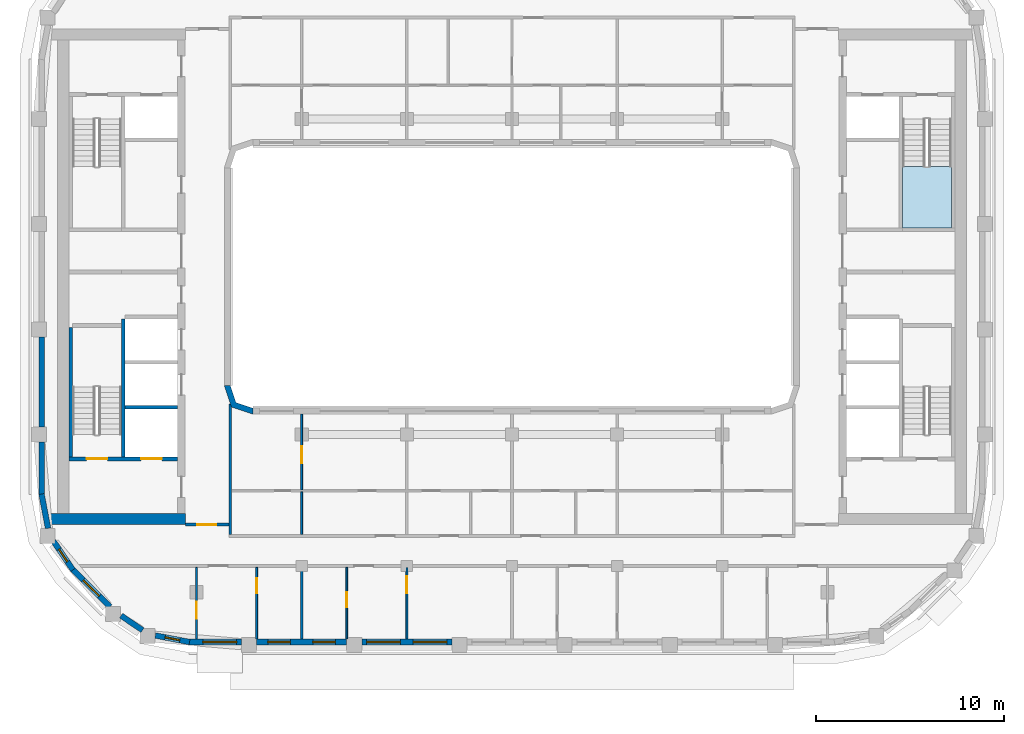
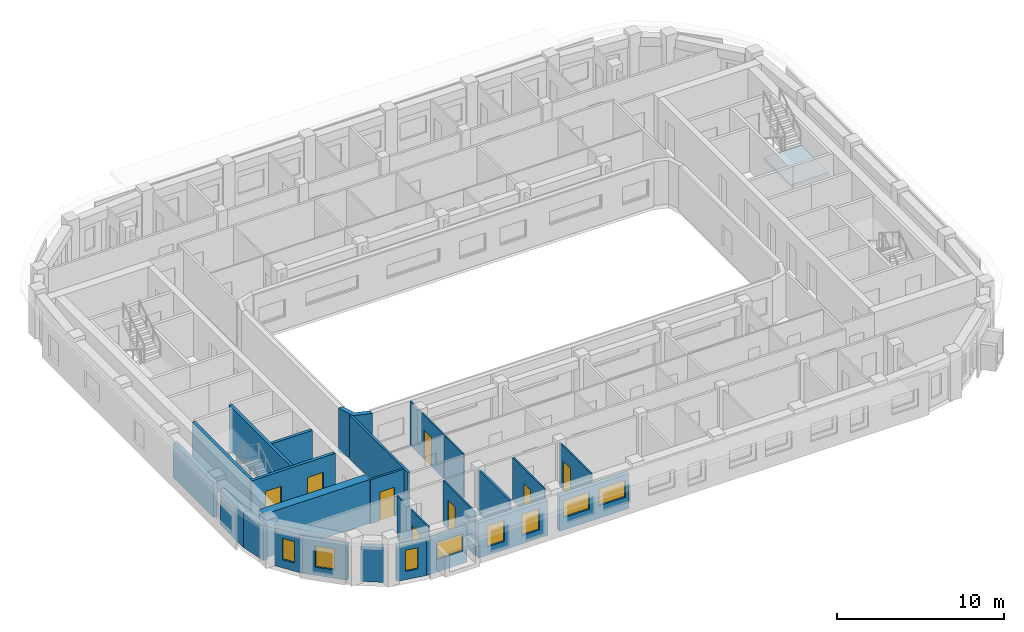
# One storey, part 2 of 16: 25 walls, 8 doors, 8 windows, 1 slab, 16 openings, 1 element without a shape of its own.
"""IFC4 building model written with IfcOpenShell, lengths in metres."""

import ifcopenshell
import ifcopenshell.guid

model = None  # the IFC model being written
_history = None  # IfcOwnerHistory: only IFC2X3 demands one
_inside = {}  # id of a spatial element -> (the spatial element, [elements in it])
_under = {}  # id of a project, library or spatial element -> (it, [spatial elements below it])
_declared = {}  # id of a project -> (the project, [libraries it declares])
_typed = {}  # id of a type object -> (the type object, [elements of that type])
_made_of = {}  # id of a material, layer set ... -> (it, [elements and type objects made of it])


def new_model(schema):
    """Start an empty IFC model of exactly this schema.

    Asked for "IFC4X3", IfcOpenShell would pick the latest addendum, in which some entities
    have other attributes; the version numbers below select the first issue.
    IFC2X3 requires an IfcOwnerHistory on every rooted entity: one is made here for all.
    """
    global model, _history
    if schema == "IFC4X3":
        model = ifcopenshell.file(schema_version=(4, 3, 0, 0))
    else:
        model = ifcopenshell.file(schema=schema)
    _inside.clear()
    _under.clear()
    _declared.clear()
    _typed.clear()
    _made_of.clear()
    _history = None
    if model.schema == "IFC2X3":
        org = make("IfcOrganization", Name="unknown")
        user = make(
            "IfcPersonAndOrganization",
            ThePerson=make("IfcPerson", FamilyName="unknown"),
            TheOrganization=org,
        )
        app = make(
            "IfcApplication",
            ApplicationDeveloper=org,
            Version="unknown",
            ApplicationFullName="unknown",
            ApplicationIdentifier="unknown",
        )
        _history = make(
            "IfcOwnerHistory",
            OwningUser=user,
            OwningApplication=app,
            ChangeAction="ADDED",
            CreationDate=0,
        )
    return model


def make(cls, **values):
    """One entity of the class cls with the attributes given. An attribute that is None is left unset."""
    return model.create_entity(
        cls, **{name: value for name, value in values.items() if value is not None}
    )


def rooted(cls, **values):
    """An entity with a GlobalId (a new one), such as an element, a storey or a relation."""
    return make(cls, GlobalId=ifcopenshell.guid.new(), OwnerHistory=_history, **values)


def si_unit(unit_type, name, prefix=None):
    """IfcSIUnit, for example si_unit("LENGTHUNIT", "METRE", prefix="MILLI")."""
    return make("IfcSIUnit", UnitType=unit_type, Prefix=prefix, Name=name)


def assignment(units):
    """IfcUnitAssignment: the units of a project."""
    return None if units is None else make("IfcUnitAssignment", Units=units)


def point(xyz):
    """IfcCartesianPoint."""
    return None if xyz is None else make("IfcCartesianPoint", Coordinates=xyz)


def direction(xyz):
    """IfcDirection."""
    return None if xyz is None else make("IfcDirection", DirectionRatios=xyz)


def frame(location, z_axis=None, x_axis=None):
    """IfcAxis2Placement3D, a coordinate frame: its origin and axes. An axis left out is left unset."""
    return make(
        "IfcAxis2Placement3D",
        Location=point(location),
        Axis=direction(z_axis),
        RefDirection=direction(x_axis),
    )


def frame_2d(location, x_axis=None):
    """IfcAxis2Placement2D, a coordinate frame in the plane: its origin and x axis."""
    return make(
        "IfcAxis2Placement2D", Location=point(location), RefDirection=direction(x_axis)
    )


def origin():
    """The frame at (0, 0, 0) with its axes left unset."""
    return frame((0.0, 0.0, 0.0))


def place(relative_to, where):
    """IfcLocalPlacement: puts the frame where relative to a parent placement (None: the world)."""
    return make(
        "IfcLocalPlacement", PlacementRelTo=relative_to, RelativePlacement=where
    )


def context(
    kind, dimensions, precision=None, world=None, true_north=None, identifier=None
):
    """IfcGeometricRepresentationContext, for example the 3D "Model" context."""
    return make(
        "IfcGeometricRepresentationContext",
        ContextIdentifier=identifier,
        ContextType=kind,
        CoordinateSpaceDimension=dimensions,
        Precision=precision,
        WorldCoordinateSystem=world,
        TrueNorth=true_north,
    )


def subcontext(parent, identifier, kind, view, scale=None):
    """IfcGeometricRepresentationSubContext, for example "Body" below "Model"."""
    return make(
        "IfcGeometricRepresentationSubContext",
        ContextIdentifier=identifier,
        ContextType=kind,
        ParentContext=parent,
        TargetScale=scale,
        TargetView=view,
    )


def project(units=None, contexts=None):
    """IfcProject with its units and contexts."""
    return rooted(
        "IfcProject",
        Name="project",
        RepresentationContexts=contexts,
        UnitsInContext=assignment(units),
    )


def spatial(cls, under=None, at=None, **own):
    """A site, building, storey or space (cls), placed at a placement, below another one or the project."""
    s = rooted(cls, ObjectPlacement=at, **own)
    if under is not None:
        _under.setdefault(under.id(), (under, []))[1].append(s)
    return s


def polyline(points):
    """IfcPolyline through the points."""
    return make("IfcPolyline", Points=[point(p) for p in points])


def profile(cls, at=None, kind="AREA", **sizes):
    """A parametric profile (cls). Its sizes go by their IFC names, for example OverallWidth=200.0."""
    return make(cls, ProfileType=kind, Position=at, **sizes)


def rectangle(**sizes):
    """IfcRectangleProfileDef."""
    return profile("IfcRectangleProfileDef", **sizes)


def outline(outer, holes=None, kind="AREA"):
    """IfcArbitraryClosedProfileDef: a profile drawn as a closed curve; with holes, ...WithVoids."""
    if holes is None:
        return make("IfcArbitraryClosedProfileDef", ProfileType=kind, OuterCurve=outer)
    return make(
        "IfcArbitraryProfileDefWithVoids",
        ProfileType=kind,
        OuterCurve=outer,
        InnerCurves=holes,
    )


def extrude(swept, where, along, depth):
    """IfcExtrudedAreaSolid: the profile swept, set in the frame where, extruded along a direction by depth."""
    return make(
        "IfcExtrudedAreaSolid",
        SweptArea=swept,
        Position=where,
        ExtrudedDirection=direction(along),
        Depth=depth,
    )


def shape(context_of_items, identifier, shape_type, items):
    """IfcShapeRepresentation: the items that make up one representation, for example the "Body"."""
    return make(
        "IfcShapeRepresentation",
        ContextOfItems=context_of_items,
        RepresentationIdentifier=identifier,
        RepresentationType=shape_type,
        Items=items,
    )


def material(Name=None, Category=None):
    """IfcMaterial."""
    return make("IfcMaterial", Name=Name, Category=Category)


def layer(
    of_material, thickness, ventilated=None, Name=None, Category=None, Priority=None
):
    """IfcMaterialLayer: one layer of a wall or slab, of a material (None: an air gap)."""
    return make(
        "IfcMaterialLayer",
        Material=of_material,
        LayerThickness=thickness,
        IsVentilated=ventilated,
        Name=Name,
        Category=Category,
        Priority=Priority,
    )


def layer_set(layers, Name=None):
    """IfcMaterialLayerSet."""
    return make("IfcMaterialLayerSet", MaterialLayers=layers, LayerSetName=Name)


def made_of(thing, what):
    """Note that an element or type object is made of a material, layer set ...; save() writes the relation."""
    if what is not None:
        _made_of.setdefault(what.id(), (what, []))[1].append(thing)
    return thing


def type_object(cls, material=None, **own):
    """A type object (cls), such as IfcWallType, which elements share."""
    return made_of(rooted(cls, **own), material)


def element(
    cls,
    number,
    at=None,
    inside=None,
    cuts=None,
    type_object=None,
    material=None,
    context=None,
    identifier="Body",
    shape_type=None,
    held_by="IfcProductDefinitionShape",
    body=None,
    shapes=None,
    **own,
):
    """One element of the class cls, such as IfcWall. Its Tag is "e" and its number.

    at: its placement. inside: the storey or other place that contains it. cuts: it is an
    opening in that element (IfcRelVoidsElement). A single representation is given by context,
    identifier, shape_type and body (its items); several are given by shapes. held_by: the class
    of the entity that holds the representations. save() writes the other relations.
    """
    e = rooted(cls, Tag="e%d" % number, ObjectPlacement=at, **own)
    if body is not None:
        shapes = [shape(context, identifier, shape_type, body)]
    if shapes is not None:
        e.Representation = make(held_by, Representations=shapes)
    if inside is not None:
        _inside.setdefault(inside.id(), (inside, []))[1].append(e)
    if cuts is not None:
        rooted(
            "IfcRelVoidsElement", RelatingBuildingElement=cuts, RelatedOpeningElement=e
        )
    if type_object is not None:
        _typed.setdefault(type_object.id(), (type_object, []))[1].append(e)
    return made_of(e, material)


def fill(opening, filler):
    """IfcRelFillsElement: the door or window that sits in an opening."""
    return rooted(
        "IfcRelFillsElement",
        RelatingOpeningElement=opening,
        RelatedBuildingElement=filler,
    )


def aggregate(whole, parts):
    """IfcRelAggregates: a whole, such as a stair, and the parts it consists of."""
    return rooted("IfcRelAggregates", RelatingObject=whole, RelatedObjects=parts)


def save(model, path):
    """Write the relations noted so far, then the file.

    IfcRelAggregates (storeys below a building ...), IfcRelContainedInSpatialStructure (elements
    in a storey), IfcRelDefinesByType, IfcRelAssociatesMaterial and IfcRelDeclares: one each for
    every whole, place, type object, material and project.
    """
    for whole, parts in _under.values():
        aggregate(whole, parts)
    for where, things in _inside.values():
        rooted(
            "IfcRelContainedInSpatialStructure",
            RelatedElements=things,
            RelatingStructure=where,
        )
    for kind, things in _typed.values():
        rooted("IfcRelDefinesByType", RelatedObjects=things, RelatingType=kind)
    for what, things in _made_of.values():
        rooted("IfcRelAssociatesMaterial", RelatedObjects=things, RelatingMaterial=what)
    for by, libraries in _declared.values():
        rooted("IfcRelDeclares", RelatingContext=by, RelatedDefinitions=libraries)
    model.write(path)


model = new_model("IFC4")

# Units and contexts
model_context = context("Model", 3, precision=1e-05, world=origin(), true_north=direction((0.0, 1.0)))
body_context = subcontext(model_context, "Body", "Model", "MODEL_VIEW")
ifc_project = project(units=[si_unit("LENGTHUNIT", "METRE"), si_unit("AREAUNIT", "SQUARE_METRE"), si_unit("VOLUMEUNIT", "CUBIC_METRE"), si_unit("PLANEANGLEUNIT", "RADIAN"), si_unit("MASSUNIT", "GRAM", prefix="KILO")], contexts=[model_context])

# Site, building, storey
site_placement = place(None, origin())
site = spatial("IfcSite", under=ifc_project, at=site_placement, CompositionType="ELEMENT")
building_placement = place(site_placement, origin())
building = spatial("IfcBuilding", under=site, at=building_placement, Name="Kiln Ring Residences", CompositionType="ELEMENT")
storey_placement = place(building_placement, frame((0.0, 0.0, 255.699951171875)))
storey = spatial("IfcBuildingStorey", under=building, at=storey_placement, Name="L66", CompositionType="ELEMENT", Elevation=255.699951171875)

# Stair, slab
ifc_material_1 = material(Name="Concrete C40/50", Category="concrete")
stair_type = type_object("IfcStairType", Name="CORE-STAIR", PredefinedType="HALF_TURN_STAIR", material=ifc_material_1)
placement = place(storey_placement, origin())
stair = element("IfcStair", 1, at=placement, inside=storey, type_object=stair_type, Name="L66 stair E-STN", PredefinedType="HALF_TURN_STAIR")
ifc_material_2 = material(Name="Concrete C40/50", Category="concrete")
ifc_layer_1 = layer(ifc_material_2, 0.199951171875)
ifc_layer_set_1 = layer_set([ifc_layer_1], Name="CORE-STAIR-LANDING")
slab_type = type_object("IfcSlabType", Name="CORE-STAIR-LANDING", PredefinedType="LANDING", material=ifc_layer_set_1)
slab_placement = place(storey_placement, frame((0.0, 0.0, 1.550048828125)))
slab = element("IfcSlab", 2, at=slab_placement, type_object=slab_type, Name="E-STN landing 1", PredefinedType="LANDING", context=body_context, shape_type="SweptSolid", body=[
    extrude(outline(polyline([(20.800048828125, 5.8798828125), (20.800048828125, 2.60009765625), (23.39990234375, 2.60009765625), (23.39990234375, 5.8798828125), (20.800048828125, 5.8798828125)])), origin(), (0.0, 0.0, 1.0), 0.199951171875),
])
aggregate(stair, [slab])

# Walls
ifc_material_3 = material(Name="Gypsum shaft wall system")
ifc_layer_2 = layer(ifc_material_3, 0.199951171875)
ifc_layer_set_2 = layer_set([ifc_layer_2], Name="CORE-SHAFT-WALL-200")
wall_type_1 = type_object("IfcWallType", Name="CORE-SHAFT-WALL-200", PredefinedType="PARTITIONING", material=ifc_layer_set_2)
wall_1_placement = place(storey_placement, frame((-17.800048828125, -6.949951171875, 0.0), z_axis=(0.0, 0.0, 1.0), x_axis=(-1.0, 0.0, 0.0)))
element("IfcWall", 3, at=wall_1_placement, inside=storey, type_object=wall_type_1, Name="Core partition west L66 2", PredefinedType="PARTITIONING", context=body_context, shape_type="SweptSolid", body=[
    extrude(rectangle(XDim=2.800048828125, YDim=0.199951171875, at=frame_2d((1.39990234375, 0.0))), origin(), (0.0, 0.0, 1.0), 3.199951171875),
])
ifc_material_4 = material(Name="Concrete C40/50", Category="concrete")
ifc_layer_3 = layer(ifc_material_4, 0.199951171875)
ifc_layer_set_3 = layer_set([ifc_layer_3], Name="CORE-WALL-RC200")
wall_type_2 = type_object("IfcWallType", Name="CORE-WALL-RC200", PredefinedType="SHEAR", material=ifc_layer_set_3)
wall_2_placement = place(storey_placement, frame((-20.699951171875, -9.60009765625, 0.0), z_axis=(0.0, 0.0, 1.0), x_axis=(0.0, 1.0, 0.0)))
element("IfcWall", 4, at=wall_2_placement, inside=storey, type_object=wall_type_2, Name="Core wall west L66 2", PredefinedType="SHEAR", context=body_context, shape_type="SweptSolid", body=[
    extrude(rectangle(XDim=7.35009765625, YDim=0.199951171875, at=frame_2d((3.675048828125, 0.0))), origin(), (0.0, 0.0, 1.0), 3.199951171875),
])

# Wall, openings, doors
wall_3_placement = place(storey_placement, frame((-17.800048828125, -9.699951171875, 0.0), z_axis=(0.0, 0.0, 1.0), x_axis=(-1.0, 0.0, 0.0)))
wall_3 = element("IfcWall", 5, at=wall_3_placement, inside=storey, type_object=wall_type_2, Name="Core wall west L66 8", PredefinedType="SHEAR", context=body_context, shape_type="SweptSolid", body=[
    extrude(rectangle(XDim=5.800048828125, YDim=0.199951171875, at=frame_2d((2.89990234375, 0.0))), origin(), (0.0, 0.0, 1.0), 3.199951171875),
])
opening_1_placement = place(wall_3_placement, frame((0.85009765625, 0.0, 0.0)))
opening_1 = element("IfcOpeningElement", 6, at=opening_1_placement, cuts=wall_3, Name="Opening L66-CW01", PredefinedType="OPENING", context=body_context, shape_type="SweptSolid", body=[
    extrude(rectangle(XDim=1.10009765625, YDim=2.10009765625, at=frame_2d((0.550048828125, 1.050048828125))), frame((0.0, 0.10986328125, 0.0), z_axis=(0.0, -1.0, 0.0), x_axis=(1.0, 0.0, 0.0)), (0.0, 0.0, 1.0), 0.219970703125),
])
opening_2_placement = place(wall_3_placement, frame((3.75, 0.0, 0.0)))
opening_2 = element("IfcOpeningElement", 7, at=opening_2_placement, cuts=wall_3, Name="Opening L66-CW10", PredefinedType="OPENING", context=body_context, shape_type="SweptSolid", body=[
    extrude(rectangle(XDim=1.10009765625, YDim=2.10009765625, at=frame_2d((0.550048828125, 1.050048828125))), frame((0.0, 0.10986328125, 0.0), z_axis=(0.0, -1.0, 0.0), x_axis=(1.0, 0.0, 0.0)), (0.0, 0.0, 1.0), 0.219970703125),
])
ifc_material_5 = material(Name="Steel door leaf", Category="steel")
door_type_1 = type_object("IfcDoorType", Name="CORE-DOOR-LD", OperationType="DOUBLE_DOOR_SLIDING", PredefinedType="DOOR", material=ifc_material_5)
door_1_placement = place(opening_1_placement, origin())
door_1 = element("IfcDoor", 8, at=door_1_placement, inside=storey, type_object=door_type_1, Name="LD W-SV L66-CW01", OperationType="DOUBLE_DOOR_SLIDING", OverallHeight=2.10009765625, OverallWidth=1.10009765625, PredefinedType="DOOR", context=body_context, shape_type="SweptSolid", body=[
    extrude(rectangle(XDim=1.10009765625, YDim=2.10009765625, at=frame_2d((0.550048828125, 1.050048828125))), frame((0.0, 0.02490234375, 0.0), z_axis=(0.0, -1.0, 0.0), x_axis=(1.0, 0.0, 0.0)), (0.0, 0.0, 1.0), 0.050048828125),
])
fill(opening_1, door_1)
ifc_material_6 = material(Name="Steel door leaf", Category="steel")
door_type_2 = type_object("IfcDoorType", Name="CORE-DOOR-STAIR", OperationType="SINGLE_SWING_LEFT", PredefinedType="DOOR", material=ifc_material_6)
door_2_placement = place(opening_2_placement, origin())
door_2 = element("IfcDoor", 9, at=door_2_placement, inside=storey, type_object=door_type_2, Name="Stair W-STS L66-CW10", OperationType="SINGLE_SWING_LEFT", OverallHeight=2.10009765625, OverallWidth=1.10009765625, PredefinedType="DOOR", context=body_context, shape_type="SweptSolid", body=[
    extrude(rectangle(XDim=1.10009765625, YDim=2.10009765625, at=frame_2d((0.550048828125, 1.050048828125))), frame((0.0, 0.02490234375, 0.0), z_axis=(0.0, -1.0, 0.0), x_axis=(1.0, 0.0, 0.0)), (0.0, 0.0, 1.0), 0.050048828125),
])
fill(opening_2, door_2)

# Walls
wall_4_placement = place(storey_placement, frame((-23.5, -9.60009765625, 0.0), z_axis=(0.0, 0.0, 1.0), x_axis=(0.0, 1.0, 0.0)))
element("IfcWall", 10, at=wall_4_placement, inside=storey, type_object=wall_type_2, Name="Core wall west L66 11", PredefinedType="SHEAR", context=body_context, shape_type="SweptSolid", body=[
    extrude(rectangle(XDim=6.900146484375, YDim=0.199951171875, at=frame_2d((3.4501953125, 0.0))), origin(), (0.0, 0.0, 1.0), 3.199951171875),
])
ifc_material_7 = material(Name="Concrete C60/75", Category="concrete")
ifc_layer_4 = layer(ifc_material_7, 0.60009765625)
ifc_layer_set_4 = layer_set([ifc_layer_4], Name="CORE-WALL-RC600")
wall_type_3 = type_object("IfcWallType", Name="CORE-WALL-RC600", PredefinedType="SHEAR", material=ifc_layer_set_4)
wall_5_placement = place(storey_placement, frame((-17.39990234375, -12.89990234375, 0.0), z_axis=(0.0, 0.0, 1.0), x_axis=(-1.0, 0.0, 0.0)))
element("IfcWall", 11, at=wall_5_placement, inside=storey, type_object=wall_type_3, Name="Core wall west L66 5", PredefinedType="SHEAR", context=body_context, shape_type="SweptSolid", body=[
    extrude(rectangle(XDim=7.320068359375, YDim=0.60009765625, at=frame_2d((3.66015625, 0.0))), origin(), (0.0, 0.0, 1.0), 3.199951171875),
])

# Wall, opening, window
ifc_material_8 = material(Name="Brick masonry, dark clay brick", Category="masonry")
ifc_layer_5 = layer(ifc_material_8, 0.300048828125)
ifc_layer_set_5 = layer_set([ifc_layer_5], Name="EW-300 BRICK WALL")
wall_type_4 = type_object("IfcWallType", Name="EW-300 BRICK WALL", PredefinedType="SOLIDWALL", material=ifc_layer_set_5)
wall_6_placement = place(storey_placement, frame((-23.39697265625, -15.591064453125, 0.0), z_axis=(0.0, 0.0, 1.0), x_axis=(0.707150377276, -0.707063182409, 0.0)))
wall_6 = element("IfcWall", 12, at=wall_6_placement, inside=storey, type_object=wall_type_4, Name="Facade wall L66 1", PredefinedType="SOLIDWALL", context=body_context, shape_type="SweptSolid", body=[
    extrude(rectangle(XDim=2.800048828125, YDim=0.300048828125, at=frame_2d((1.39990234375, 0.0))), origin(), (0.0, 0.0, 1.0), 2.550048828125),
])
opening_3_placement = place(wall_6_placement, frame((0.800048828125, 0.0, 0.60009765625)))
opening_3 = element("IfcOpeningElement", 13, at=opening_3_placement, cuts=wall_6, Name="Opening W1", PredefinedType="OPENING", context=body_context, shape_type="SweptSolid", body=[
    extrude(rectangle(XDim=1.199951171875, YDim=1.550048828125, at=frame_2d((0.60009765625, 0.77490234375))), frame((0.0, 0.159912109375, 0.0), z_axis=(0.0, -1.0, 0.0), x_axis=(1.0, 0.0, 0.0)), (0.0, 0.0, 1.0), 0.320068359375),
])
ifc_material_9 = material(Name="Aluminium frame with double glazing", Category="aluminium")
window_type_1 = type_object("IfcWindowType", Name="WINDOW 1200 x 1550", PartitioningType="SINGLE_PANEL", PredefinedType="WINDOW", material=ifc_material_9)
window_1_placement = place(opening_3_placement, origin())
window_1 = element("IfcWindow", 14, at=window_1_placement, inside=storey, type_object=window_type_1, Name="Window L66 1", OverallHeight=1.550048828125, OverallWidth=1.199951171875, PartitioningType="SINGLE_PANEL", PredefinedType="WINDOW", context=body_context, shape_type="SweptSolid", body=[
    extrude(rectangle(XDim=1.199951171875, YDim=1.550048828125, at=frame_2d((0.60009765625, 0.77490234375))), frame((0.0, 0.030029296875, 0.0), z_axis=(0.0, -1.0, 0.0), x_axis=(1.0, 0.0, 0.0)), (0.0, 0.0, 1.0), 0.06005859375),
])
fill(opening_3, window_1)

# Wall
wall_7_placement = place(storey_placement, frame((-20.816650390625, -18.048095703125, 0.0), z_axis=(0.0, 0.0, 1.0), x_axis=(0.827025410886, -0.562164539747, 0.0)))
element("IfcWall", 15, at=wall_7_placement, inside=storey, type_object=wall_type_4, Name="Facade wall L66 2", PredefinedType="SOLIDWALL", context=body_context, shape_type="SweptSolid", body=[
    extrude(rectangle(XDim=1.377197265625, YDim=0.300048828125, at=frame_2d((0.6884765625, 0.0))), origin(), (0.0, 0.0, 1.0), 2.550048828125),
])

# Wall, opening, window
wall_8_placement = place(storey_placement, frame((-18.9951171875, -19.10498046875, 0.0), z_axis=(0.0, 0.0, 1.0), x_axis=(0.982301706131, -0.187305520826, 0.0)))
wall_8 = element("IfcWall", 16, at=wall_8_placement, inside=storey, type_object=wall_type_4, Name="Facade wall L66 3", PredefinedType="SOLIDWALL", context=body_context, shape_type="SweptSolid", body=[
    extrude(rectangle(XDim=1.856201171875, YDim=0.300048828125, at=frame_2d((0.92822265625, 0.0))), origin(), (0.0, 0.0, 1.0), 2.550048828125),
])
opening_4_placement = place(wall_8_placement, frame((0.528076171875, 0.0, 0.60009765625)))
opening_4 = element("IfcOpeningElement", 17, at=opening_4_placement, cuts=wall_8, Name="Opening W5", PredefinedType="OPENING", context=body_context, shape_type="SweptSolid", body=[
    extrude(rectangle(XDim=0.800048828125, YDim=1.550048828125, at=frame_2d((0.39990234375, 0.77490234375))), frame((0.0, 0.159912109375, 0.0), z_axis=(0.0, -1.0, 0.0), x_axis=(1.0, 0.0, 0.0)), (0.0, 0.0, 1.0), 0.320068359375),
])
ifc_material_10 = material(Name="Aluminium frame with double glazing", Category="aluminium")
window_type_2 = type_object("IfcWindowType", Name="WINDOW 800 x 1550", PartitioningType="SINGLE_PANEL", PredefinedType="WINDOW", material=ifc_material_10)
window_2_placement = place(opening_4_placement, origin())
window_2 = element("IfcWindow", 18, at=window_2_placement, inside=storey, type_object=window_type_2, Name="Window L66 2", OverallHeight=1.550048828125, OverallWidth=0.800048828125, PartitioningType="SINGLE_PANEL", PredefinedType="WINDOW", context=body_context, shape_type="SweptSolid", body=[
    extrude(rectangle(XDim=0.800048828125, YDim=1.550048828125, at=frame_2d((0.39990234375, 0.77490234375))), frame((0.0, 0.030029296875, 0.0), z_axis=(0.0, -1.0, 0.0), x_axis=(1.0, 0.0, 0.0)), (0.0, 0.0, 1.0), 0.06005859375),
])
fill(opening_4, window_2)

wall_9_placement = place(storey_placement, frame((-17.199951171875, -19.449951171875, 0.0), z_axis=(0.0, 0.0, 1.0), x_axis=(1.0, 0.0, 0.0)))
wall_9 = element("IfcWall", 19, at=wall_9_placement, inside=storey, type_object=wall_type_4, Name="Facade wall L66 4", PredefinedType="SOLIDWALL", context=body_context, shape_type="SweptSolid", body=[
    extrude(rectangle(XDim=2.800048828125, YDim=0.300048828125, at=frame_2d((1.39990234375, 0.0))), origin(), (0.0, 0.0, 1.0), 2.550048828125),
])
opening_5_placement = place(wall_9_placement, frame((0.737548828125, 0.0, 0.89990234375)))
opening_5 = element("IfcOpeningElement", 20, at=opening_5_placement, cuts=wall_9, Name="Opening W2", PredefinedType="OPENING", context=body_context, shape_type="SweptSolid", body=[
    extrude(rectangle(XDim=1.800048828125, YDim=1.25, at=frame_2d((0.89990234375, 0.625))), frame((0.0, 0.159912109375, 0.0), z_axis=(0.0, -1.0, 0.0), x_axis=(1.0, 0.0, 0.0)), (0.0, 0.0, 1.0), 0.320068359375),
])
ifc_material_11 = material(Name="Aluminium frame with double glazing", Category="aluminium")
window_type_3 = type_object("IfcWindowType", Name="WINDOW 1800 x 1250", PartitioningType="SINGLE_PANEL", PredefinedType="WINDOW", material=ifc_material_11)
window_3_placement = place(opening_5_placement, origin())
window_3 = element("IfcWindow", 21, at=window_3_placement, inside=storey, type_object=window_type_3, Name="Window L66 3", OverallHeight=1.25, OverallWidth=1.800048828125, PartitioningType="SINGLE_PANEL", PredefinedType="WINDOW", context=body_context, shape_type="SweptSolid", body=[
    extrude(rectangle(XDim=1.800048828125, YDim=1.25, at=frame_2d((0.89990234375, 0.625))), frame((0.0, 0.030029296875, 0.0), z_axis=(0.0, -1.0, 0.0), x_axis=(1.0, 0.0, 0.0)), (0.0, 0.0, 1.0), 0.06005859375),
])
fill(opening_5, window_3)

# Wall, openings, windows
wall_10_placement = place(storey_placement, frame((-13.60009765625, -19.449951171875, 0.0), z_axis=(0.0, 0.0, 1.0), x_axis=(1.0, 0.0, 0.0)))
wall_10 = element("IfcWall", 22, at=wall_10_placement, inside=storey, type_object=wall_type_4, Name="Facade wall L66 5", PredefinedType="SOLIDWALL", context=body_context, shape_type="SweptSolid", body=[
    extrude(rectangle(XDim=4.800048828125, YDim=0.300048828125, at=frame_2d((2.39990234375, 0.0))), origin(), (0.0, 0.0, 1.0), 2.550048828125),
])
opening_6_placement = place(wall_10_placement, frame((0.60009765625, 0.0, 0.60009765625)))
opening_6 = element("IfcOpeningElement", 23, at=opening_6_placement, cuts=wall_10, Name="Opening W1", PredefinedType="OPENING", context=body_context, shape_type="SweptSolid", body=[
    extrude(rectangle(XDim=1.199951171875, YDim=1.550048828125, at=frame_2d((0.60009765625, 0.77490234375))), frame((0.0, 0.159912109375, 0.0), z_axis=(0.0, -1.0, 0.0), x_axis=(1.0, 0.0, 0.0)), (0.0, 0.0, 1.0), 0.320068359375),
])
opening_7_placement = place(wall_10_placement, frame((3.0, 0.0, 0.60009765625)))
opening_7 = element("IfcOpeningElement", 24, at=opening_7_placement, cuts=wall_10, Name="Opening W1", PredefinedType="OPENING", context=body_context, shape_type="SweptSolid", body=[
    extrude(rectangle(XDim=1.199951171875, YDim=1.550048828125, at=frame_2d((0.60009765625, 0.77490234375))), frame((0.0, 0.159912109375, 0.0), z_axis=(0.0, -1.0, 0.0), x_axis=(1.0, 0.0, 0.0)), (0.0, 0.0, 1.0), 0.320068359375),
])
window_4_placement = place(opening_6_placement, origin())
window_4 = element("IfcWindow", 25, at=window_4_placement, inside=storey, type_object=window_type_1, Name="Window L66 4", OverallHeight=1.550048828125, OverallWidth=1.199951171875, PartitioningType="SINGLE_PANEL", PredefinedType="WINDOW", context=body_context, shape_type="SweptSolid", body=[
    extrude(rectangle(XDim=1.199951171875, YDim=1.550048828125, at=frame_2d((0.60009765625, 0.77490234375))), frame((0.0, 0.030029296875, 0.0), z_axis=(0.0, -1.0, 0.0), x_axis=(1.0, 0.0, 0.0)), (0.0, 0.0, 1.0), 0.06005859375),
])
fill(opening_6, window_4)
window_5_placement = place(opening_7_placement, origin())
window_5 = element("IfcWindow", 26, at=window_5_placement, inside=storey, type_object=window_type_1, Name="Window L66 5", OverallHeight=1.550048828125, OverallWidth=1.199951171875, PartitioningType="SINGLE_PANEL", PredefinedType="WINDOW", context=body_context, shape_type="SweptSolid", body=[
    extrude(rectangle(XDim=1.199951171875, YDim=1.550048828125, at=frame_2d((0.60009765625, 0.77490234375))), frame((0.0, 0.030029296875, 0.0), z_axis=(0.0, -1.0, 0.0), x_axis=(1.0, 0.0, 0.0)), (0.0, 0.0, 1.0), 0.06005859375),
])
fill(opening_7, window_5)

wall_11_placement = place(storey_placement, frame((-8.0, -19.449951171875, 0.0), z_axis=(0.0, 0.0, 1.0), x_axis=(1.0, 0.0, 0.0)))
wall_11 = element("IfcWall", 27, at=wall_11_placement, inside=storey, type_object=wall_type_4, Name="Facade wall L66 6", PredefinedType="SOLIDWALL", context=body_context, shape_type="SweptSolid", body=[
    extrude(rectangle(XDim=4.800048828125, YDim=0.300048828125, at=frame_2d((2.39990234375, 0.0))), origin(), (0.0, 0.0, 1.0), 2.550048828125),
])
opening_8_placement = place(wall_11_placement, frame((0.262451171875, 0.0, 0.89990234375)))
opening_8 = element("IfcOpeningElement", 28, at=opening_8_placement, cuts=wall_11, Name="Opening W2", PredefinedType="OPENING", context=body_context, shape_type="SweptSolid", body=[
    extrude(rectangle(XDim=1.800048828125, YDim=1.25, at=frame_2d((0.89990234375, 0.625))), frame((0.0, 0.159912109375, 0.0), z_axis=(0.0, -1.0, 0.0), x_axis=(1.0, 0.0, 0.0)), (0.0, 0.0, 1.0), 0.320068359375),
])
opening_9_placement = place(wall_11_placement, frame((2.737548828125, 0.0, 0.89990234375)))
opening_9 = element("IfcOpeningElement", 29, at=opening_9_placement, cuts=wall_11, Name="Opening W2", PredefinedType="OPENING", context=body_context, shape_type="SweptSolid", body=[
    extrude(rectangle(XDim=1.800048828125, YDim=1.25, at=frame_2d((0.89990234375, 0.625))), frame((0.0, 0.159912109375, 0.0), z_axis=(0.0, -1.0, 0.0), x_axis=(1.0, 0.0, 0.0)), (0.0, 0.0, 1.0), 0.320068359375),
])
window_6_placement = place(opening_8_placement, origin())
window_6 = element("IfcWindow", 30, at=window_6_placement, inside=storey, type_object=window_type_3, Name="Window L66 6", OverallHeight=1.25, OverallWidth=1.800048828125, PartitioningType="SINGLE_PANEL", PredefinedType="WINDOW", context=body_context, shape_type="SweptSolid", body=[
    extrude(rectangle(XDim=1.800048828125, YDim=1.25, at=frame_2d((0.89990234375, 0.625))), frame((0.0, 0.030029296875, 0.0), z_axis=(0.0, -1.0, 0.0), x_axis=(1.0, 0.0, 0.0)), (0.0, 0.0, 1.0), 0.06005859375),
])
fill(opening_8, window_6)
window_7_placement = place(opening_9_placement, origin())
window_7 = element("IfcWindow", 31, at=window_7_placement, inside=storey, type_object=window_type_3, Name="Window L66 7", OverallHeight=1.25, OverallWidth=1.800048828125, PartitioningType="SINGLE_PANEL", PredefinedType="WINDOW", context=body_context, shape_type="SweptSolid", body=[
    extrude(rectangle(XDim=1.800048828125, YDim=1.25, at=frame_2d((0.89990234375, 0.625))), frame((0.0, 0.030029296875, 0.0), z_axis=(0.0, -1.0, 0.0), x_axis=(1.0, 0.0, 0.0)), (0.0, 0.0, 1.0), 0.06005859375),
])
fill(opening_9, window_7)

# Walls
wall_12_placement = place(storey_placement, frame((-25.050048828125, -3.199951171875, 0.0), z_axis=(0.0, 0.0, 1.0), x_axis=(0.0, -1.0, 0.0)))
element("IfcWall", 32, at=wall_12_placement, inside=storey, type_object=wall_type_4, Name="Facade wall L66 41", PredefinedType="SOLIDWALL", context=body_context, shape_type="SweptSolid", body=[
    extrude(rectangle(XDim=4.800048828125, YDim=0.300048828125, at=frame_2d((2.39990234375, 0.0))), origin(), (0.0, 0.0, 1.0), 2.550048828125),
])
wall_13_placement = place(storey_placement, frame((-25.050048828125, -8.800048828125, 0.0), z_axis=(0.0, 0.0, 1.0), x_axis=(0.0, -1.0, 0.0)))
element("IfcWall", 33, at=wall_13_placement, inside=storey, type_object=wall_type_4, Name="Facade wall L66 42", PredefinedType="SOLIDWALL", context=body_context, shape_type="SweptSolid", body=[
    extrude(rectangle(XDim=2.800048828125, YDim=0.300048828125, at=frame_2d((1.39990234375, 0.0))), origin(), (0.0, 0.0, 1.0), 2.550048828125),
])
wall_14_placement = place(storey_placement, frame((-25.052734375, -11.57177734375, 0.0), z_axis=(0.0, 0.0, 1.0), x_axis=(0.187408222942, -0.982282117303, 0.0)))
element("IfcWall", 34, at=wall_14_placement, inside=storey, type_object=wall_type_4, Name="Facade wall L66 43", PredefinedType="SOLIDWALL", context=body_context, shape_type="SweptSolid", body=[
    extrude(rectangle(XDim=1.8564453125, YDim=0.300048828125, at=frame_2d((0.92822265625, 0.0))), origin(), (0.0, 0.0, 1.0), 2.550048828125),
])

# Wall, opening, window
wall_15_placement = place(storey_placement, frame((-24.422119140625, -14.07763671875, 0.0), z_axis=(0.0, 0.0, 1.0), x_axis=(0.562054549384, -0.827100165347, 0.0)))
wall_15 = element("IfcWall", 35, at=wall_15_placement, inside=storey, type_object=wall_type_4, Name="Facade wall L66 44", PredefinedType="SOLIDWALL", context=body_context, shape_type="SweptSolid", body=[
    extrude(rectangle(XDim=1.85595703125, YDim=0.300048828125, at=frame_2d((0.927978515625, 0.0))), origin(), (0.0, 0.0, 1.0), 2.550048828125),
])
opening_10_placement = place(wall_15_placement, frame((0.528076171875, 0.0, 0.60009765625)))
opening_10 = element("IfcOpeningElement", 36, at=opening_10_placement, cuts=wall_15, Name="Opening W5", PredefinedType="OPENING", context=body_context, shape_type="SweptSolid", body=[
    extrude(rectangle(XDim=0.800048828125, YDim=1.550048828125, at=frame_2d((0.39990234375, 0.77490234375))), frame((0.0, 0.159912109375, 0.0), z_axis=(0.0, -1.0, 0.0), x_axis=(1.0, 0.0, 0.0)), (0.0, 0.0, 1.0), 0.320068359375),
])
window_8_placement = place(opening_10_placement, origin())
window_8 = element("IfcWindow", 37, at=window_8_placement, inside=storey, type_object=window_type_2, Name="Window L66 36", OverallHeight=1.550048828125, OverallWidth=0.800048828125, PartitioningType="SINGLE_PANEL", PredefinedType="WINDOW", context=body_context, shape_type="SweptSolid", body=[
    extrude(rectangle(XDim=0.800048828125, YDim=1.550048828125, at=frame_2d((0.39990234375, 0.77490234375))), frame((0.0, 0.030029296875, 0.0), z_axis=(0.0, -1.0, 0.0), x_axis=(1.0, 0.0, 0.0)), (0.0, 0.0, 1.0), 0.06005859375),
])
fill(opening_10, window_8)

# Wall
element("IfcWall", 38, at=placement, inside=storey, type_object=wall_type_4, Name="Corner wall L66 4", PredefinedType="SOLIDWALL", context=body_context, shape_type="SweptSolid", body=[
    extrude(outline(polyline([(-14.937255859375, -6.937255859375), (-13.8486328125, -7.300048828125), (-13.800048828125, -7.300048828125), (-13.800048828125, -7.0), (-14.699951171875, -6.699951171875), (-15.0, -5.800048828125), (-15.300048828125, -5.800048828125), (-15.300048828125, -5.8486328125), (-14.937255859375, -6.937255859375)])), origin(), (0.0, 0.0, 1.0), 3.199951171875),
])

# Wall, opening, door
ifc_material_12 = material(Name="Gypsum board on steel studs", Category="steel")
ifc_layer_6 = layer(ifc_material_12, 0.10009765625)
ifc_layer_set_6 = layer_set([ifc_layer_6], Name="PARTITION-100")
wall_type_5 = type_object("IfcWallType", Name="PARTITION-100", PredefinedType="PARTITIONING", material=ifc_layer_set_6)
wall_17_placement = place(storey_placement, frame((-16.800048828125, -19.280029296875, 0.0), z_axis=(0.0, 0.0, 1.0), x_axis=(0.0, 1.0, 0.0)))
wall_17 = element("IfcWall", 39, at=wall_17_placement, inside=storey, type_object=wall_type_5, Name="Partition 010", PredefinedType="PARTITIONING", context=body_context, shape_type="SweptSolid", body=[
    extrude(rectangle(XDim=3.804931640625, YDim=0.10009765625, at=frame_2d((1.90234375, 0.0))), origin(), (0.0, 0.0, 1.0), 3.199951171875),
])
opening_11_placement = place(wall_17_placement, frame((1.0791015625, 0.0, 0.0)))
opening_11 = element("IfcOpeningElement", 40, at=opening_11_placement, cuts=wall_17, Name="Opening L66-D047", PredefinedType="OPENING", context=body_context, shape_type="SweptSolid", body=[
    extrude(rectangle(XDim=0.89990234375, YDim=2.10009765625, at=frame_2d((0.449951171875, 1.050048828125))), frame((0.0, 0.06005859375, 0.0), z_axis=(0.0, -1.0, 0.0), x_axis=(1.0, 0.0, 0.0)), (0.0, 0.0, 1.0), 0.1201171875),
])
ifc_material_13 = material(Name="Timber door leaf", Category="wood")
door_type_3 = type_object("IfcDoorType", Name="FLAT-DOOR-900-PL", OperationType="SINGLE_SWING_LEFT", PredefinedType="DOOR", material=ifc_material_13)
door_3_placement = place(opening_11_placement, origin())
door_3 = element("IfcDoor", 41, at=door_3_placement, inside=storey, type_object=door_type_3, Name="Door L66-D047", OperationType="SINGLE_SWING_RIGHT", OverallHeight=2.10009765625, OverallWidth=0.89990234375, PredefinedType="DOOR", context=body_context, shape_type="SweptSolid", body=[
    extrude(rectangle(XDim=0.89990234375, YDim=2.10009765625, at=frame_2d((0.449951171875, 1.050048828125))), frame((0.0, 0.02490234375, 0.0), z_axis=(0.0, -1.0, 0.0), x_axis=(1.0, 0.0, 0.0)), (0.0, 0.0, 1.0), 0.050048828125),
])
fill(opening_11, door_3)

wall_18_placement = place(storey_placement, frame((-13.60009765625, -19.280029296875, 0.0), z_axis=(0.0, 0.0, 1.0), x_axis=(0.0, 1.0, 0.0)))
wall_18 = element("IfcWall", 42, at=wall_18_placement, inside=storey, type_object=wall_type_5, Name="Partition 014", PredefinedType="PARTITIONING", context=body_context, shape_type="SweptSolid", body=[
    extrude(rectangle(XDim=3.804931640625, YDim=0.10009765625, at=frame_2d((1.90234375, 0.0))), origin(), (0.0, 0.0, 1.0), 3.199951171875),
])
opening_12_placement = place(wall_18_placement, frame((2.419921875, 0.0, 0.0)))
opening_12 = element("IfcOpeningElement", 43, at=opening_12_placement, cuts=wall_18, Name="Opening L66-D046", PredefinedType="OPENING", context=body_context, shape_type="SweptSolid", body=[
    extrude(rectangle(XDim=0.800048828125, YDim=2.10009765625, at=frame_2d((0.39990234375, 1.050048828125))), frame((0.0, 0.06005859375, 0.0), z_axis=(0.0, -1.0, 0.0), x_axis=(1.0, 0.0, 0.0)), (0.0, 0.0, 1.0), 0.1201171875),
])
ifc_material_14 = material(Name="Timber door leaf", Category="wood")
door_type_4 = type_object("IfcDoorType", Name="FLAT-DOOR-800-PL", OperationType="SINGLE_SWING_LEFT", PredefinedType="DOOR", material=ifc_material_14)
door_4_placement = place(opening_12_placement, origin())
door_4 = element("IfcDoor", 44, at=door_4_placement, inside=storey, type_object=door_type_4, Name="Door L66-D046", OperationType="SINGLE_SWING_RIGHT", OverallHeight=2.10009765625, OverallWidth=0.800048828125, PredefinedType="DOOR", context=body_context, shape_type="SweptSolid", body=[
    extrude(rectangle(XDim=0.800048828125, YDim=2.10009765625, at=frame_2d((0.39990234375, 1.050048828125))), frame((0.0, 0.02490234375, 0.0), z_axis=(0.0, -1.0, 0.0), x_axis=(1.0, 0.0, 0.0)), (0.0, 0.0, 1.0), 0.050048828125),
])
fill(opening_12, door_4)

# Wall
wall_19_placement = place(storey_placement, frame((-11.199951171875, -13.72509765625, 0.0), z_axis=(0.0, 0.0, 1.0), x_axis=(0.0, 1.0, 0.0)))
element("IfcWall", 45, at=wall_19_placement, inside=storey, type_object=wall_type_5, Name="Partition 016", PredefinedType="PARTITIONING", context=body_context, shape_type="SweptSolid", body=[
    extrude(rectangle(XDim=2.275146484375, YDim=0.10009765625, at=frame_2d((1.1376953125, 0.0))), origin(), (0.0, 0.0, 1.0), 3.199951171875),
])

# Wall, opening, door
wall_20_placement = place(storey_placement, frame((-11.199951171875, -11.35009765625, 0.0), z_axis=(0.0, 0.0, 1.0), x_axis=(0.0, 1.0, 0.0)))
wall_20 = element("IfcWall", 46, at=wall_20_placement, inside=storey, type_object=wall_type_5, Name="Partition 017", PredefinedType="PARTITIONING", context=body_context, shape_type="SweptSolid", body=[
    extrude(rectangle(XDim=4.030029296875, YDim=0.10009765625, at=frame_2d((2.01513671875, 0.0))), origin(), (0.0, 0.0, 1.0), 3.199951171875),
])
opening_13_placement = place(wall_20_placement, frame((1.429931640625, 0.0, 0.0)))
opening_13 = element("IfcOpeningElement", 47, at=opening_13_placement, cuts=wall_20, Name="Opening L66-D034", PredefinedType="OPENING", context=body_context, shape_type="SweptSolid", body=[
    extrude(rectangle(XDim=0.89990234375, YDim=2.10009765625, at=frame_2d((0.449951171875, 1.050048828125))), frame((0.0, 0.06005859375, 0.0), z_axis=(0.0, -1.0, 0.0), x_axis=(1.0, 0.0, 0.0)), (0.0, 0.0, 1.0), 0.1201171875),
])
door_5_placement = place(opening_13_placement, origin())
door_5 = element("IfcDoor", 48, at=door_5_placement, inside=storey, type_object=door_type_3, Name="Door L66-D034", OperationType="SINGLE_SWING_RIGHT", OverallHeight=2.10009765625, OverallWidth=0.89990234375, PredefinedType="DOOR", context=body_context, shape_type="SweptSolid", body=[
    extrude(rectangle(XDim=0.89990234375, YDim=2.10009765625, at=frame_2d((0.449951171875, 1.050048828125))), frame((0.0, 0.02490234375, 0.0), z_axis=(0.0, -1.0, 0.0), x_axis=(1.0, 0.0, 0.0)), (0.0, 0.0, 1.0), 0.050048828125),
])
fill(opening_13, door_5)

wall_21_placement = place(storey_placement, frame((-8.800048828125, -19.280029296875, 0.0), z_axis=(0.0, 0.0, 1.0), x_axis=(0.0, 1.0, 0.0)))
wall_21 = element("IfcWall", 49, at=wall_21_placement, inside=storey, type_object=wall_type_5, Name="Partition 022", PredefinedType="PARTITIONING", context=body_context, shape_type="SweptSolid", body=[
    extrude(rectangle(XDim=3.804931640625, YDim=0.10009765625, at=frame_2d((1.90234375, 0.0))), origin(), (0.0, 0.0, 1.0), 3.199951171875),
])
opening_14_placement = place(wall_21_placement, frame((1.678955078125, 0.0, 0.0)))
opening_14 = element("IfcOpeningElement", 50, at=opening_14_placement, cuts=wall_21, Name="Opening L66-D049", PredefinedType="OPENING", context=body_context, shape_type="SweptSolid", body=[
    extrude(rectangle(XDim=0.800048828125, YDim=2.10009765625, at=frame_2d((0.39990234375, 1.050048828125))), frame((0.0, 0.06005859375, 0.0), z_axis=(0.0, -1.0, 0.0), x_axis=(1.0, 0.0, 0.0)), (0.0, 0.0, 1.0), 0.1201171875),
])
door_6_placement = place(opening_14_placement, origin())
door_6 = element("IfcDoor", 51, at=door_6_placement, inside=storey, type_object=door_type_4, Name="Door L66-D049", OperationType="SINGLE_SWING_LEFT", OverallHeight=2.10009765625, OverallWidth=0.800048828125, PredefinedType="DOOR", context=body_context, shape_type="SweptSolid", body=[
    extrude(rectangle(XDim=0.800048828125, YDim=2.10009765625, at=frame_2d((0.39990234375, 1.050048828125))), frame((0.0, 0.02490234375, 0.0), z_axis=(0.0, -1.0, 0.0), x_axis=(1.0, 0.0, 0.0)), (0.0, 0.0, 1.0), 0.050048828125),
])
fill(opening_14, door_6)

wall_22_placement = place(storey_placement, frame((-5.60009765625, -19.280029296875, 0.0), z_axis=(0.0, 0.0, 1.0), x_axis=(0.0, 1.0, 0.0)))
wall_22 = element("IfcWall", 52, at=wall_22_placement, inside=storey, type_object=wall_type_5, Name="Partition 023", PredefinedType="PARTITIONING", context=body_context, shape_type="SweptSolid", body=[
    extrude(rectangle(XDim=3.804931640625, YDim=0.10009765625, at=frame_2d((1.90234375, 0.0))), origin(), (0.0, 0.0, 1.0), 3.199951171875),
])
opening_15_placement = place(wall_22_placement, frame((2.419921875, 0.0, 0.0)))
opening_15 = element("IfcOpeningElement", 53, at=opening_15_placement, cuts=wall_22, Name="Opening L66-D050", PredefinedType="OPENING", context=body_context, shape_type="SweptSolid", body=[
    extrude(rectangle(XDim=0.89990234375, YDim=2.10009765625, at=frame_2d((0.449951171875, 1.050048828125))), frame((0.0, 0.06005859375, 0.0), z_axis=(0.0, -1.0, 0.0), x_axis=(1.0, 0.0, 0.0)), (0.0, 0.0, 1.0), 0.1201171875),
])
door_7_placement = place(opening_15_placement, origin())
door_7 = element("IfcDoor", 54, at=door_7_placement, inside=storey, type_object=door_type_3, Name="Door L66-D050", OperationType="SINGLE_SWING_RIGHT", OverallHeight=2.10009765625, OverallWidth=0.89990234375, PredefinedType="DOOR", context=body_context, shape_type="SweptSolid", body=[
    extrude(rectangle(XDim=0.89990234375, YDim=2.10009765625, at=frame_2d((0.449951171875, 1.050048828125))), frame((0.0, 0.02490234375, 0.0), z_axis=(0.0, -1.0, 0.0), x_axis=(1.0, 0.0, 0.0)), (0.0, 0.0, 1.0), 0.050048828125),
])
fill(opening_15, door_7)

ifc_material_15 = material(Name="Brick masonry partition", Category="masonry")
ifc_layer_7 = layer(ifc_material_15, 0.14990234375)
ifc_layer_set_7 = layer_set([ifc_layer_7], Name="PARTITION-150-ei60")
wall_type_6 = type_object("IfcWallType", Name="PARTITION-150-ei60", PredefinedType="PARTITIONING", material=ifc_layer_set_7)
wall_23_placement = place(storey_placement, frame((-17.39990234375, -13.199951171875, 0.0), z_axis=(0.0, 0.0, 1.0), x_axis=(1.0, 0.0, 0.0)))
wall_23 = element("IfcWall", 55, at=wall_23_placement, inside=storey, type_object=wall_type_6, Name="Partition 002", PredefinedType="PARTITIONING", context=body_context, shape_type="SweptSolid", body=[
    extrude(rectangle(XDim=2.324951171875, YDim=0.14990234375, at=frame_2d((1.16259765625, 0.0))), origin(), (0.0, 0.0, 1.0), 3.199951171875),
])
opening_16_placement = place(wall_23_placement, frame((0.64990234375, 0.0, 0.0)))
opening_16 = element("IfcOpeningElement", 56, at=opening_16_placement, cuts=wall_23, Name="Opening L66-D003", PredefinedType="OPENING", context=body_context, shape_type="SweptSolid", body=[
    extrude(rectangle(XDim=1.0, YDim=2.10009765625, at=frame_2d((0.5, 1.050048828125))), frame((0.0, 0.0849609375, 0.0), z_axis=(0.0, -1.0, 0.0), x_axis=(1.0, 0.0, 0.0)), (0.0, 0.0, 1.0), 0.169921875),
])
ifc_material_16 = material(Name="Steel faced fire door leaf", Category="steel")
door_type_5 = type_object("IfcDoorType", Name="FLAT-DOOR-1000-FR", OperationType="SINGLE_SWING_LEFT", PredefinedType="DOOR", material=ifc_material_16)
door_8_placement = place(opening_16_placement, origin())
door_8 = element("IfcDoor", 57, at=door_8_placement, inside=storey, type_object=door_type_5, Name="Door L66-D003", OperationType="SINGLE_SWING_RIGHT", OverallHeight=2.10009765625, OverallWidth=1.0, PredefinedType="DOOR", context=body_context, shape_type="SweptSolid", body=[
    extrude(rectangle(XDim=1.0, YDim=2.10009765625, at=frame_2d((0.5, 1.050048828125))), frame((0.0, 0.02490234375, 0.0), z_axis=(0.0, -1.0, 0.0), x_axis=(1.0, 0.0, 0.0)), (0.0, 0.0, 1.0), 0.050048828125),
])
fill(opening_16, door_8)

# Walls
wall_24_placement = place(storey_placement, frame((-15.0, -13.72509765625, 0.0), z_axis=(0.0, 0.0, 1.0), x_axis=(0.0, 1.0, 0.0)))
element("IfcWall", 58, at=wall_24_placement, inside=storey, type_object=wall_type_6, Name="Partition 012", PredefinedType="PARTITIONING", context=body_context, shape_type="SweptSolid", body=[
    extrude(rectangle(XDim=6.956298828125, YDim=0.14990234375, at=frame_2d((3.47802734375, 0.0))), origin(), (0.0, 0.0, 1.0), 3.199951171875),
])
wall_25_placement = place(storey_placement, frame((-11.199951171875, -19.280029296875, 0.0), z_axis=(0.0, 0.0, 1.0), x_axis=(0.0, 1.0, 0.0)))
element("IfcWall", 59, at=wall_25_placement, inside=storey, type_object=wall_type_6, Name="Partition 020", PredefinedType="PARTITIONING", context=body_context, shape_type="SweptSolid", body=[
    extrude(rectangle(XDim=3.804931640625, YDim=0.14990234375, at=frame_2d((1.90234375, 0.0))), origin(), (0.0, 0.0, 1.0), 3.199951171875),
])

save(model, "model.ifc")
